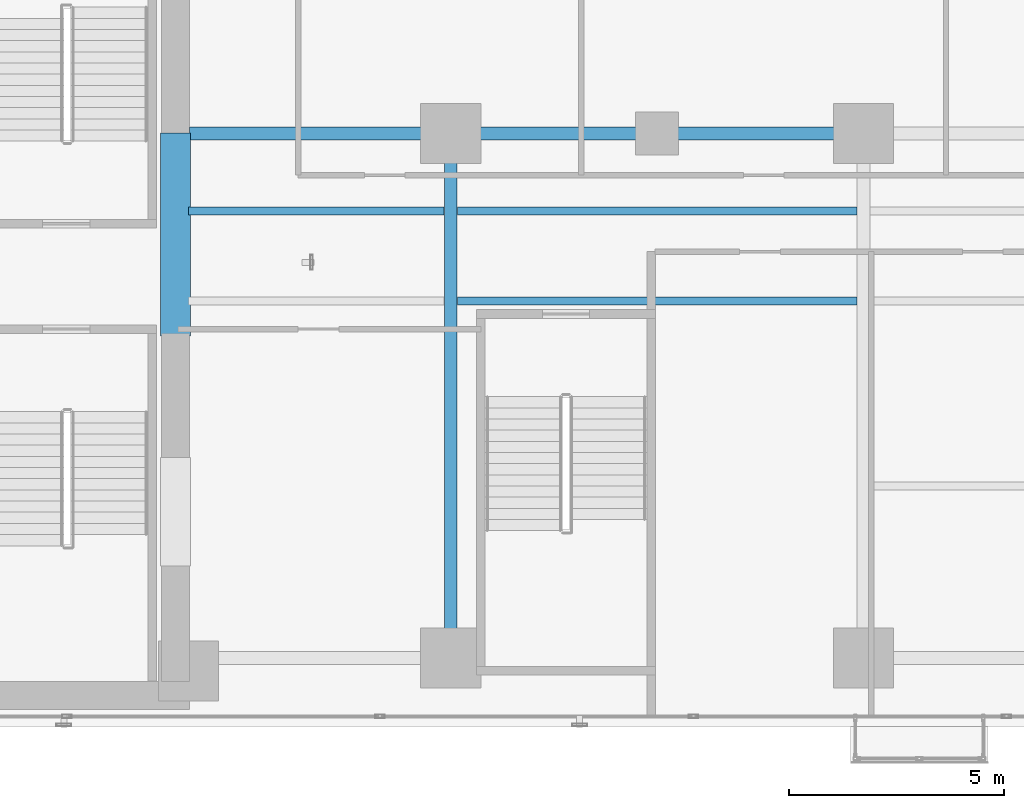
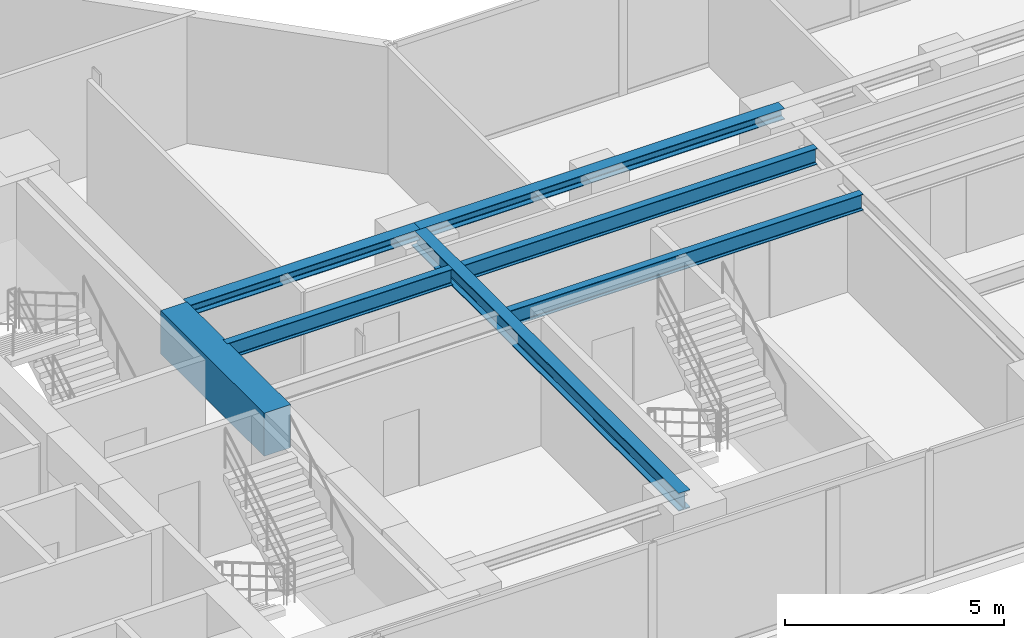
# One storey, part 5 of 28: 7 beams.
"""IFC4 building model written with IfcOpenShell, lengths in metres."""

import ifcopenshell
import ifcopenshell.guid

model = None  # the IFC model being written
_history = None  # IfcOwnerHistory: only IFC2X3 demands one
_inside = {}  # id of a spatial element -> (the spatial element, [elements in it])
_under = {}  # id of a project, library or spatial element -> (it, [spatial elements below it])
_declared = {}  # id of a project -> (the project, [libraries it declares])
_typed = {}  # id of a type object -> (the type object, [elements of that type])
_made_of = {}  # id of a material, layer set ... -> (it, [elements and type objects made of it])


def new_model(schema):
    """Start an empty IFC model of exactly this schema.

    Asked for "IFC4X3", IfcOpenShell would pick the latest addendum, in which some entities
    have other attributes; the version numbers below select the first issue.
    IFC2X3 requires an IfcOwnerHistory on every rooted entity: one is made here for all.
    """
    global model, _history
    if schema == "IFC4X3":
        model = ifcopenshell.file(schema_version=(4, 3, 0, 0))
    else:
        model = ifcopenshell.file(schema=schema)
    _inside.clear()
    _under.clear()
    _declared.clear()
    _typed.clear()
    _made_of.clear()
    _history = None
    if model.schema == "IFC2X3":
        org = make("IfcOrganization", Name="unknown")
        user = make(
            "IfcPersonAndOrganization",
            ThePerson=make("IfcPerson", FamilyName="unknown"),
            TheOrganization=org,
        )
        app = make(
            "IfcApplication",
            ApplicationDeveloper=org,
            Version="unknown",
            ApplicationFullName="unknown",
            ApplicationIdentifier="unknown",
        )
        _history = make(
            "IfcOwnerHistory",
            OwningUser=user,
            OwningApplication=app,
            ChangeAction="ADDED",
            CreationDate=0,
        )
    return model


def make(cls, **values):
    """One entity of the class cls with the attributes given. An attribute that is None is left unset."""
    return model.create_entity(
        cls, **{name: value for name, value in values.items() if value is not None}
    )


def rooted(cls, **values):
    """An entity with a GlobalId (a new one), such as an element, a storey or a relation."""
    return make(cls, GlobalId=ifcopenshell.guid.new(), OwnerHistory=_history, **values)


def si_unit(unit_type, name, prefix=None):
    """IfcSIUnit, for example si_unit("LENGTHUNIT", "METRE", prefix="MILLI")."""
    return make("IfcSIUnit", UnitType=unit_type, Prefix=prefix, Name=name)


def assignment(units):
    """IfcUnitAssignment: the units of a project."""
    return None if units is None else make("IfcUnitAssignment", Units=units)


def point(xyz):
    """IfcCartesianPoint."""
    return None if xyz is None else make("IfcCartesianPoint", Coordinates=xyz)


def direction(xyz):
    """IfcDirection."""
    return None if xyz is None else make("IfcDirection", DirectionRatios=xyz)


def frame(location, z_axis=None, x_axis=None):
    """IfcAxis2Placement3D, a coordinate frame: its origin and axes. An axis left out is left unset."""
    return make(
        "IfcAxis2Placement3D",
        Location=point(location),
        Axis=direction(z_axis),
        RefDirection=direction(x_axis),
    )


def frame_2d(location, x_axis=None):
    """IfcAxis2Placement2D, a coordinate frame in the plane: its origin and x axis."""
    return make(
        "IfcAxis2Placement2D", Location=point(location), RefDirection=direction(x_axis)
    )


def origin():
    """The frame at (0, 0, 0) with its axes left unset."""
    return frame((0.0, 0.0, 0.0))


def origin_2d():
    """The frame at (0, 0) in the plane with its x axis left unset."""
    return frame_2d((0.0, 0.0))


def place(relative_to, where):
    """IfcLocalPlacement: puts the frame where relative to a parent placement (None: the world)."""
    return make(
        "IfcLocalPlacement", PlacementRelTo=relative_to, RelativePlacement=where
    )


def context(
    kind, dimensions, precision=None, world=None, true_north=None, identifier=None
):
    """IfcGeometricRepresentationContext, for example the 3D "Model" context."""
    return make(
        "IfcGeometricRepresentationContext",
        ContextIdentifier=identifier,
        ContextType=kind,
        CoordinateSpaceDimension=dimensions,
        Precision=precision,
        WorldCoordinateSystem=world,
        TrueNorth=true_north,
    )


def subcontext(parent, identifier, kind, view, scale=None):
    """IfcGeometricRepresentationSubContext, for example "Body" below "Model"."""
    return make(
        "IfcGeometricRepresentationSubContext",
        ContextIdentifier=identifier,
        ContextType=kind,
        ParentContext=parent,
        TargetScale=scale,
        TargetView=view,
    )


def project(units=None, contexts=None):
    """IfcProject with its units and contexts."""
    return rooted(
        "IfcProject",
        Name="project",
        RepresentationContexts=contexts,
        UnitsInContext=assignment(units),
    )


def spatial(cls, under=None, at=None, **own):
    """A site, building, storey or space (cls), placed at a placement, below another one or the project."""
    s = rooted(cls, ObjectPlacement=at, **own)
    if under is not None:
        _under.setdefault(under.id(), (under, []))[1].append(s)
    return s


def profile(cls, at=None, kind="AREA", **sizes):
    """A parametric profile (cls). Its sizes go by their IFC names, for example OverallWidth=200.0."""
    return make(cls, ProfileType=kind, Position=at, **sizes)


def rectangle(**sizes):
    """IfcRectangleProfileDef."""
    return profile("IfcRectangleProfileDef", **sizes)


def i_section(**sizes):
    """IfcIShapeProfileDef."""
    return profile("IfcIShapeProfileDef", **sizes)


def extrude(swept, where, along, depth):
    """IfcExtrudedAreaSolid: the profile swept, set in the frame where, extruded along a direction by depth."""
    return make(
        "IfcExtrudedAreaSolid",
        SweptArea=swept,
        Position=where,
        ExtrudedDirection=direction(along),
        Depth=depth,
    )


def shape(context_of_items, identifier, shape_type, items):
    """IfcShapeRepresentation: the items that make up one representation, for example the "Body"."""
    return make(
        "IfcShapeRepresentation",
        ContextOfItems=context_of_items,
        RepresentationIdentifier=identifier,
        RepresentationType=shape_type,
        Items=items,
    )


def material(Name=None, Category=None):
    """IfcMaterial."""
    return make("IfcMaterial", Name=Name, Category=Category)


def material_profile(
    of_material, cross_section, Name=None, Category=None, Priority=None
):
    """IfcMaterialProfile: a cross section and its material."""
    return make(
        "IfcMaterialProfile",
        Name=Name,
        Material=of_material,
        Profile=cross_section,
        Priority=Priority,
        Category=Category,
    )


def profile_set(profiles, Name=None, composite=None):
    """IfcMaterialProfileSet."""
    return make(
        "IfcMaterialProfileSet",
        Name=Name,
        MaterialProfiles=profiles,
        CompositeProfile=composite,
    )


def made_of(thing, what):
    """Note that an element or type object is made of a material, layer set ...; save() writes the relation."""
    if what is not None:
        _made_of.setdefault(what.id(), (what, []))[1].append(thing)
    return thing


def type_object(cls, material=None, **own):
    """A type object (cls), such as IfcWallType, which elements share."""
    return made_of(rooted(cls, **own), material)


def element(
    cls,
    number,
    at=None,
    inside=None,
    cuts=None,
    type_object=None,
    material=None,
    context=None,
    identifier="Body",
    shape_type=None,
    held_by="IfcProductDefinitionShape",
    body=None,
    shapes=None,
    **own,
):
    """One element of the class cls, such as IfcWall. Its Tag is "e" and its number.

    at: its placement. inside: the storey or other place that contains it. cuts: it is an
    opening in that element (IfcRelVoidsElement). A single representation is given by context,
    identifier, shape_type and body (its items); several are given by shapes. held_by: the class
    of the entity that holds the representations. save() writes the other relations.
    """
    e = rooted(cls, Tag="e%d" % number, ObjectPlacement=at, **own)
    if body is not None:
        shapes = [shape(context, identifier, shape_type, body)]
    if shapes is not None:
        e.Representation = make(held_by, Representations=shapes)
    if inside is not None:
        _inside.setdefault(inside.id(), (inside, []))[1].append(e)
    if cuts is not None:
        rooted(
            "IfcRelVoidsElement", RelatingBuildingElement=cuts, RelatedOpeningElement=e
        )
    if type_object is not None:
        _typed.setdefault(type_object.id(), (type_object, []))[1].append(e)
    return made_of(e, material)


def aggregate(whole, parts):
    """IfcRelAggregates: a whole, such as a stair, and the parts it consists of."""
    return rooted("IfcRelAggregates", RelatingObject=whole, RelatedObjects=parts)


def save(model, path):
    """Write the relations noted so far, then the file.

    IfcRelAggregates (storeys below a building ...), IfcRelContainedInSpatialStructure (elements
    in a storey), IfcRelDefinesByType, IfcRelAssociatesMaterial and IfcRelDeclares: one each for
    every whole, place, type object, material and project.
    """
    for whole, parts in _under.values():
        aggregate(whole, parts)
    for where, things in _inside.values():
        rooted(
            "IfcRelContainedInSpatialStructure",
            RelatedElements=things,
            RelatingStructure=where,
        )
    for kind, things in _typed.values():
        rooted("IfcRelDefinesByType", RelatedObjects=things, RelatingType=kind)
    for what, things in _made_of.values():
        rooted("IfcRelAssociatesMaterial", RelatedObjects=things, RelatingMaterial=what)
    for by, libraries in _declared.values():
        rooted("IfcRelDeclares", RelatingContext=by, RelatedDefinitions=libraries)
    model.write(path)


model = new_model("IFC4")

# Units and contexts
model_context = context("Model", 3, precision=1e-05, world=origin(), true_north=direction((0.0, 1.0)))
body_context = subcontext(model_context, "Body", "Model", "MODEL_VIEW")
ifc_project = project(units=[si_unit("LENGTHUNIT", "METRE"), si_unit("AREAUNIT", "SQUARE_METRE"), si_unit("VOLUMEUNIT", "CUBIC_METRE"), si_unit("PLANEANGLEUNIT", "RADIAN"), si_unit("MASSUNIT", "GRAM", prefix="KILO")], contexts=[model_context])

# Site, building, storey
site_placement = place(None, origin())
site = spatial("IfcSite", under=ifc_project, at=site_placement, CompositionType="ELEMENT")
building_placement = place(site_placement, origin())
building = spatial("IfcBuilding", under=site, at=building_placement, Name="Kolvaren Waterfront Exchange", CompositionType="ELEMENT")
storey_placement = place(building_placement, frame((0.0, 0.0, 103.10009765625)))
storey = spatial("IfcBuildingStorey", under=building, at=storey_placement, Name="L26", CompositionType="ELEMENT", Elevation=103.10009765625)

# Beams
ifc_material_1 = material(Name="Steel S355", Category="steel")
ifc_material_profile_1 = material_profile(ifc_material_1, i_section(OverallWidth=0.300048828125, OverallDepth=0.300048828125, WebThickness=0.010986328125, FlangeThickness=0.01904296875, FilletRadius=0.027099609375, at=origin_2d()), Name="HEB300")
ifc_profile_set_1 = profile_set([ifc_material_profile_1], Name="Steel S355")
beam_type_1 = type_object("IfcBeamType", Name="STR-BM-HEB300", PredefinedType="SPANDREL", material=ifc_profile_set_1)
beam_1_placement = place(storey_placement, frame((21.125, 17.39990234375, 3.389892578125), z_axis=(1.0, 0.0, 0.0), x_axis=(0.0, 1.0, 0.0)))
element("IfcBeam", 1, at=beam_1_placement, inside=storey, type_object=beam_type_1, Name="L26 east-arm spandrel N1", PredefinedType="SPANDREL", context=body_context, shape_type="SweptSolid", body=[
    extrude(i_section(OverallWidth=0.300048828125, OverallDepth=0.300048828125, WebThickness=0.010986328125, FlangeThickness=0.01904296875, FilletRadius=0.027099609375, at=origin_2d()), origin(), (0.0, 0.0, 1.0), 6.074951171875),
])
beam_2_placement = place(storey_placement, frame((27.199951171875, 17.39990234375, 3.389892578125), z_axis=(1.0, 0.0, 0.0), x_axis=(0.0, 1.0, 0.0)))
element("IfcBeam", 2, at=beam_2_placement, inside=storey, type_object=beam_type_1, Name="L26 east-arm spandrel N2", PredefinedType="SPANDREL", context=body_context, shape_type="SweptSolid", body=[
    extrude(i_section(OverallWidth=0.300048828125, OverallDepth=0.300048828125, WebThickness=0.010986328125, FlangeThickness=0.01904296875, FilletRadius=0.027099609375, at=origin_2d()), origin(), (0.0, 0.0, 1.0), 9.60009765625),
])
ifc_material_profile_2 = material_profile(ifc_material_1, i_section(OverallWidth=0.300048828125, OverallDepth=0.5, WebThickness=0.014404296875, FlangeThickness=0.028076171875, FilletRadius=0.027099609375, at=origin_2d()), Name="HEB500")
ifc_profile_set_2 = profile_set([ifc_material_profile_2], Name="Steel S355")
beam_type_2 = type_object("IfcBeamType", Name="STR-BM-HEB500", PredefinedType="BEAM", material=ifc_profile_set_2)
beam_3_placement = place(storey_placement, frame((27.199951171875, 5.199951171875, 3.289794921875), z_axis=(0.0, 1.0, 0.0), x_axis=(-1.0, 0.0, 0.0)))
element("IfcBeam", 3, at=beam_3_placement, inside=storey, type_object=beam_type_2, Name="L26 east-arm transverse girder X27", PredefinedType="BEAM", context=body_context, shape_type="SweptSolid", body=[
    extrude(i_section(OverallWidth=0.300048828125, OverallDepth=0.5, WebThickness=0.014404296875, FlangeThickness=0.028076171875, FilletRadius=0.027099609375, at=origin_2d()), origin(), (0.0, 0.0, 1.0), 12.199951171875),
])
ifc_material_profile_3 = material_profile(ifc_material_1, i_section(OverallWidth=0.18994140625, OverallDepth=0.449951171875, WebThickness=0.009521484375, FlangeThickness=0.0146484375, FilletRadius=0.02099609375, at=origin_2d()), Name="IPE450")
ifc_profile_set_3 = profile_set([ifc_material_profile_3], Name="Steel S355")
beam_type_3 = type_object("IfcBeamType", Name="STR-BM-IPE450", PredefinedType="JOIST", material=ifc_profile_set_3)
beam_4_placement = place(storey_placement, frame((21.10009765625, 15.60009765625, 3.31494140625), z_axis=(1.0, 0.0, 0.0), x_axis=(0.0, 1.0, 0.0)))
element("IfcBeam", 4, at=beam_4_placement, inside=storey, type_object=beam_type_3, Name="L26 east-arm composite joist 1C", PredefinedType="JOIST", context=body_context, shape_type="SweptSolid", body=[
    extrude(i_section(OverallWidth=0.18994140625, OverallDepth=0.449951171875, WebThickness=0.009521484375, FlangeThickness=0.0146484375, FilletRadius=0.02099609375, at=origin_2d()), origin(), (0.0, 0.0, 1.0), 5.947998046875),
])
for number, where, z_axis, x_axis, name in (
    (5, (27.35205078125, 13.5, 3.31494140625), (1.0, 0.0, 0.0), (0.0, 1.0, 0.0), "L26 east-arm composite joist 2A"),
    (6, (27.35205078125, 15.60009765625, 3.31494140625), (1.0, 0.0, 0.0), (0.0, 1.0, 0.0), "L26 east-arm composite joist 2C"),
):
    element("IfcBeam", number, at=place(storey_placement, frame(where, z_axis=z_axis, x_axis=x_axis)), inside=storey, type_object=beam_type_3, Name=name, PredefinedType="JOIST", context=body_context, shape_type="SweptSolid", body=[
        extrude(i_section(OverallWidth=0.18994140625, OverallDepth=0.449951171875, WebThickness=0.009521484375, FlangeThickness=0.0146484375, FilletRadius=0.02099609375, at=origin_2d()), origin(), (0.0, 0.0, 1.0), 9.2958984375),
    ])
ifc_material_2 = material(Name="Concrete C70/85", Category="concrete")
ifc_material_profile_4 = material_profile(ifc_material_2, rectangle(XDim=0.699951171875, YDim=1.199951171875, at=origin_2d()), Name="RC-CB-1200x700")
ifc_profile_set_4 = profile_set([ifc_material_profile_4], Name="Concrete C70/85")
beam_type_4 = type_object("IfcBeamType", Name="STR-CB-1200", PredefinedType="SPANDREL", material=ifc_profile_set_4)
beam_5_placement = place(storey_placement, frame((20.800048828125, 12.68994140625, 2.93994140625), z_axis=(0.0, 1.0, 0.0), x_axis=(-1.0, 0.0, 0.0)))
element("IfcBeam", 7, at=beam_5_placement, inside=storey, type_object=beam_type_4, Name="L26 core coupling beam 2", PredefinedType="SPANDREL", context=body_context, shape_type="SweptSolid", body=[
    extrude(rectangle(XDim=0.699951171875, YDim=1.199951171875, at=origin_2d()), origin(), (0.0, 0.0, 1.0), 4.719970703125),
])

save(model, "model.ifc")
